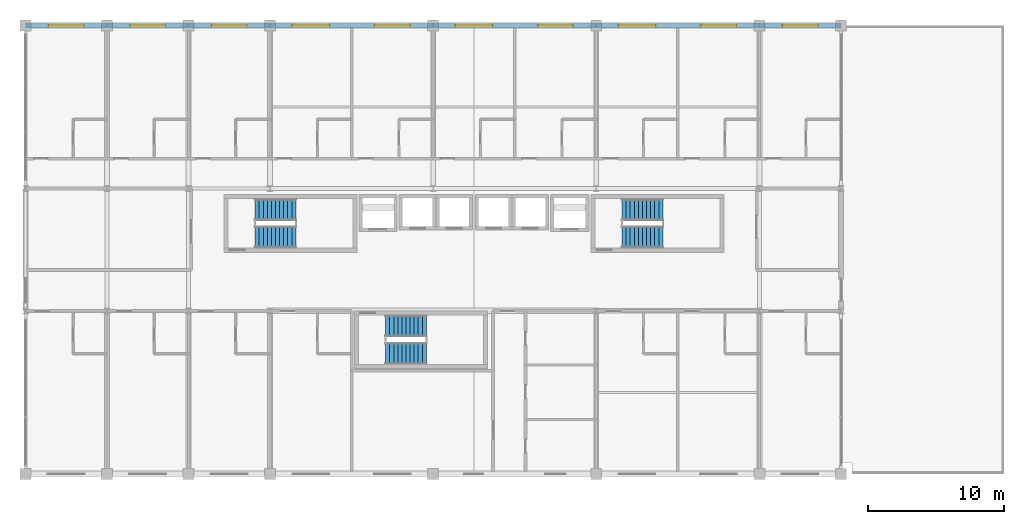
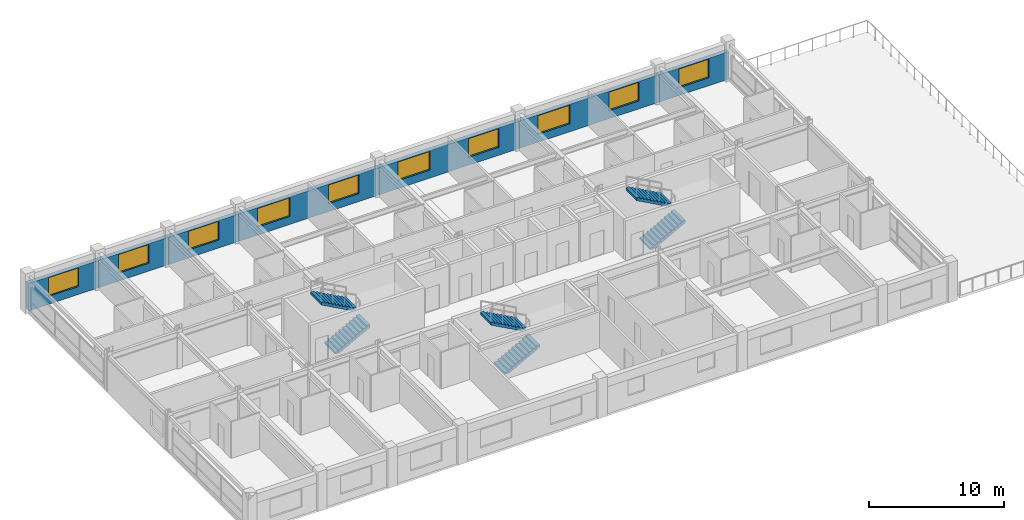
# One storey, part 25 of 27: 10 windows, 7 walls, 6 stair flights, 10 openings, 3 elements without a shape of their own.
"""IFC4 building model written with IfcOpenShell, lengths in metres."""

from ifc_helpers import new_model, si_unit, direction, frame, frame_2d, origin, place, context, subcontext, project, spatial, polyline, rectangle, outline, extrude, material, layer, layer_set, type_object, element, fill, aggregate, save


model = new_model("IFC4")

# Units and contexts
model_context = context("Model", 3, precision=1e-05, world=origin(), true_north=direction((0.0, 1.0)))
body_context = subcontext(model_context, "Body", "Model", "MODEL_VIEW")
ifc_project = project(units=[si_unit("LENGTHUNIT", "METRE"), si_unit("AREAUNIT", "SQUARE_METRE"), si_unit("VOLUMEUNIT", "CUBIC_METRE"), si_unit("PLANEANGLEUNIT", "RADIAN"), si_unit("MASSUNIT", "GRAM", prefix="KILO")], contexts=[model_context])

# Site, building, storey
site_placement = place(None, origin())
site = spatial("IfcSite", under=ifc_project, at=site_placement, CompositionType="ELEMENT")
building_placement = place(site_placement, origin())
building = spatial("IfcBuilding", under=site, at=building_placement, Name="Kaldorvane Square Convention Centre", CompositionType="ELEMENT")
storey_placement = place(building_placement, frame((0.0, 0.0, 38.399993896484375)))
storey = spatial("IfcBuildingStorey", under=building, at=storey_placement, Name="L08", CompositionType="ELEMENT", Elevation=38.399993896484375)

# Wall, opening, window
ifc_material_1 = material(Name="Concrete f'c = 42 MPa (Normalweight)", Category="concrete")
ifc_layer = layer(ifc_material_1, 0.350006103515625)
ifc_layer_set = layer_set([ifc_layer], Name="Concrete f'c = 42 MPa (Normalweight)")
wall_type = type_object("IfcWallType", Name="WL-EXT-350", PredefinedType="STANDARD", material=ifc_layer_set)
wall_1_placement = place(storey_placement, frame((30.0, 117.0, 0.0), z_axis=(0.0, 0.0, 1.0), x_axis=(-1.0, 0.0, 0.0)))
wall_1 = element("IfcWall", 1, at=wall_1_placement, inside=storey, type_object=wall_type, Name="Hotel N Brutalist Facade Wall (L08)", PredefinedType="STANDARD", context=body_context, shape_type="SweptSolid", body=[
    extrude(rectangle(XDim=6.0, YDim=0.350006103515625, at=frame_2d((3.0, 0.0))), origin(), (0.0, 0.0, 1.0), 2.4860076904296875),
])
opening_1_placement = place(wall_1_placement, frame((1.6999969482421875, 0.0, 0.720001220703125)))
opening_1 = element("IfcOpeningElement", 2, at=opening_1_placement, cuts=wall_1, Name="Opening W-05", PredefinedType="OPENING", context=body_context, shape_type="SweptSolid", body=[
    extrude(rectangle(XDim=2.600006103515625, YDim=1.69000244140625, at=frame_2d((1.3000030517578125, 0.845001220703125))), frame((0.0, 0.19000244140625, 0.0), z_axis=(0.0, -1.0, 0.0), x_axis=(1.0, 0.0, 0.0)), (0.0, 0.0, 1.0), 0.3800048828125),
])
ifc_material_2 = material(Name="Anodized Aluminum and Low-E Insulated Glazing", Category="aluminium")
window_type_1 = type_object("IfcWindowType", Name="WN-HTL-2600X1700", PartitioningType="DOUBLE_PANEL_VERTICAL", PredefinedType="WINDOW", material=ifc_material_2)
window_1_placement = place(opening_1_placement, origin())
window_1 = element("IfcWindow", 3, at=window_1_placement, inside=storey, type_object=window_type_1, Name="Hotel N Window (L08)", OverallHeight=1.69000244140625, OverallWidth=2.600006103515625, PartitioningType="DOUBLE_PANEL_VERTICAL", PredefinedType="WINDOW", context=body_context, shape_type="SweptSolid", body=[
    extrude(rectangle(XDim=2.600006103515625, YDim=1.69000244140625, at=frame_2d((1.3000030517578125, 0.845001220703125))), frame((0.0, 0.029998779296875, 0.0), z_axis=(0.0, -1.0, 0.0), x_axis=(1.0, 0.0, 0.0)), (0.0, 0.0, 1.0), 0.05999755859375),
])
fill(opening_1, window_1)

wall_2_placement = place(storey_placement, frame((36.0, 117.0, 0.0), z_axis=(0.0, 0.0, 1.0), x_axis=(-1.0, 0.0, 0.0)))
wall_2 = element("IfcWall", 4, at=wall_2_placement, inside=storey, type_object=wall_type, Name="Hotel N Brutalist Facade Wall (L08)", PredefinedType="STANDARD", context=body_context, shape_type="SweptSolid", body=[
    extrude(rectangle(XDim=6.0, YDim=0.350006103515625, at=frame_2d((3.0, 0.0))), origin(), (0.0, 0.0, 1.0), 2.4860076904296875),
])
opening_2_placement = place(wall_2_placement, frame((1.6999969482421875, 0.0, 0.720001220703125)))
opening_2 = element("IfcOpeningElement", 5, at=opening_2_placement, cuts=wall_2, Name="Opening W-05", PredefinedType="OPENING", context=body_context, shape_type="SweptSolid", body=[
    extrude(rectangle(XDim=2.600006103515625, YDim=1.69000244140625, at=frame_2d((1.3000030517578125, 0.845001220703125))), frame((0.0, 0.19000244140625, 0.0), z_axis=(0.0, -1.0, 0.0), x_axis=(1.0, 0.0, 0.0)), (0.0, 0.0, 1.0), 0.3800048828125),
])
window_2_placement = place(opening_2_placement, origin())
window_2 = element("IfcWindow", 6, at=window_2_placement, inside=storey, type_object=window_type_1, Name="Hotel N Window (L08)", OverallHeight=1.69000244140625, OverallWidth=2.600006103515625, PartitioningType="DOUBLE_PANEL_VERTICAL", PredefinedType="WINDOW", context=body_context, shape_type="SweptSolid", body=[
    extrude(rectangle(XDim=2.600006103515625, YDim=1.69000244140625, at=frame_2d((1.3000030517578125, 0.845001220703125))), frame((0.0, 0.029998779296875, 0.0), z_axis=(0.0, -1.0, 0.0), x_axis=(1.0, 0.0, 0.0)), (0.0, 0.0, 1.0), 0.05999755859375),
])
fill(opening_2, window_2)

wall_3_placement = place(storey_placement, frame((42.0, 117.0, 0.0), z_axis=(0.0, 0.0, 1.0), x_axis=(-1.0, 0.0, 0.0)))
wall_3 = element("IfcWall", 7, at=wall_3_placement, inside=storey, type_object=wall_type, Name="Hotel N Brutalist Facade Wall (L08)", PredefinedType="STANDARD", context=body_context, shape_type="SweptSolid", body=[
    extrude(rectangle(XDim=6.0, YDim=0.350006103515625, at=frame_2d((3.0, 0.0))), origin(), (0.0, 0.0, 1.0), 2.4860076904296875),
])
opening_3_placement = place(wall_3_placement, frame((1.6999969482421875, 0.0, 0.720001220703125)))
opening_3 = element("IfcOpeningElement", 8, at=opening_3_placement, cuts=wall_3, Name="Opening W-05", PredefinedType="OPENING", context=body_context, shape_type="SweptSolid", body=[
    extrude(rectangle(XDim=2.600006103515625, YDim=1.69000244140625, at=frame_2d((1.3000030517578125, 0.845001220703125))), frame((0.0, 0.19000244140625, 0.0), z_axis=(0.0, -1.0, 0.0), x_axis=(1.0, 0.0, 0.0)), (0.0, 0.0, 1.0), 0.3800048828125),
])
window_3_placement = place(opening_3_placement, origin())
window_3 = element("IfcWindow", 9, at=window_3_placement, inside=storey, type_object=window_type_1, Name="Hotel N Window (L08)", OverallHeight=1.69000244140625, OverallWidth=2.600006103515625, PartitioningType="DOUBLE_PANEL_VERTICAL", PredefinedType="WINDOW", context=body_context, shape_type="SweptSolid", body=[
    extrude(rectangle(XDim=2.600006103515625, YDim=1.69000244140625, at=frame_2d((1.3000030517578125, 0.845001220703125))), frame((0.0, 0.029998779296875, 0.0), z_axis=(0.0, -1.0, 0.0), x_axis=(1.0, 0.0, 0.0)), (0.0, 0.0, 1.0), 0.05999755859375),
])
fill(opening_3, window_3)

# Wall, openings, windows
wall_4_placement = place(storey_placement, frame((54.0, 117.0, 0.0), z_axis=(0.0, 0.0, 1.0), x_axis=(-1.0, 0.0, 0.0)))
wall_4 = element("IfcWall", 10, at=wall_4_placement, inside=storey, type_object=wall_type, Name="Hotel N Brutalist Facade Wall (L08)", PredefinedType="STANDARD", context=body_context, shape_type="SweptSolid", body=[
    extrude(rectangle(XDim=12.0, YDim=0.350006103515625, at=frame_2d((6.0, 0.0))), origin(), (0.0, 0.0, 1.0), 2.4860076904296875),
])
opening_4_placement = place(wall_4_placement, frame((1.6999969482421875, 0.0, 0.720001220703125)))
opening_4 = element("IfcOpeningElement", 11, at=opening_4_placement, cuts=wall_4, Name="Opening W-05", PredefinedType="OPENING", context=body_context, shape_type="SweptSolid", body=[
    extrude(rectangle(XDim=2.600006103515625, YDim=1.69000244140625, at=frame_2d((1.3000030517578125, 0.845001220703125))), frame((0.0, 0.19000244140625, 0.0), z_axis=(0.0, -1.0, 0.0), x_axis=(1.0, 0.0, 0.0)), (0.0, 0.0, 1.0), 0.3800048828125),
])
opening_5_placement = place(wall_4_placement, frame((7.625, 0.0, 0.720001220703125)))
opening_5 = element("IfcOpeningElement", 12, at=opening_5_placement, cuts=wall_4, Name="Opening W-06", PredefinedType="OPENING", context=body_context, shape_type="SweptSolid", body=[
    extrude(rectangle(XDim=2.75, YDim=1.69000244140625, at=frame_2d((1.375, 0.845001220703125))), frame((0.0, 0.19000244140625, 0.0), z_axis=(0.0, -1.0, 0.0), x_axis=(1.0, 0.0, 0.0)), (0.0, 0.0, 1.0), 0.3800048828125),
])
window_4_placement = place(opening_4_placement, origin())
window_4 = element("IfcWindow", 13, at=window_4_placement, inside=storey, type_object=window_type_1, Name="Hotel N Window (L08)", OverallHeight=1.69000244140625, OverallWidth=2.600006103515625, PartitioningType="DOUBLE_PANEL_VERTICAL", PredefinedType="WINDOW", context=body_context, shape_type="SweptSolid", body=[
    extrude(rectangle(XDim=2.600006103515625, YDim=1.69000244140625, at=frame_2d((1.3000030517578125, 0.845001220703125))), frame((0.0, 0.029998779296875, 0.0), z_axis=(0.0, -1.0, 0.0), x_axis=(1.0, 0.0, 0.0)), (0.0, 0.0, 1.0), 0.05999755859375),
])
fill(opening_4, window_4)
window_type_2 = type_object("IfcWindowType", Name="WN-HTL-2750X1700", PartitioningType="TRIPLE_PANEL_VERTICAL", PredefinedType="WINDOW", material=ifc_material_2)
window_5_placement = place(opening_5_placement, origin())
window_5 = element("IfcWindow", 14, at=window_5_placement, inside=storey, type_object=window_type_2, Name="Hotel N Window (L08)", OverallHeight=1.69000244140625, OverallWidth=2.75, PartitioningType="TRIPLE_PANEL_VERTICAL", PredefinedType="WINDOW", context=body_context, shape_type="SweptSolid", body=[
    extrude(rectangle(XDim=2.75, YDim=1.69000244140625, at=frame_2d((1.375, 0.845001220703125))), frame((0.0, 0.029998779296875, 0.0), z_axis=(0.0, -1.0, 0.0), x_axis=(1.0, 0.0, 0.0)), (0.0, 0.0, 1.0), 0.05999755859375),
])
fill(opening_5, window_5)

wall_5_placement = place(storey_placement, frame((66.0, 117.0, 0.0), z_axis=(0.0, 0.0, 1.0), x_axis=(-1.0, 0.0, 0.0)))
wall_5 = element("IfcWall", 15, at=wall_5_placement, inside=storey, type_object=wall_type, Name="Hotel N Brutalist Facade Wall (L08)", PredefinedType="STANDARD", context=body_context, shape_type="SweptSolid", body=[
    extrude(rectangle(XDim=12.0, YDim=0.350006103515625, at=frame_2d((6.0, 0.0))), origin(), (0.0, 0.0, 1.0), 2.4860076904296875),
])
opening_6_placement = place(wall_5_placement, frame((1.6999969482421875, 0.0, 0.720001220703125)))
opening_6 = element("IfcOpeningElement", 16, at=opening_6_placement, cuts=wall_5, Name="Opening W-05", PredefinedType="OPENING", context=body_context, shape_type="SweptSolid", body=[
    extrude(rectangle(XDim=2.600006103515625, YDim=1.69000244140625, at=frame_2d((1.3000030517578125, 0.845001220703125))), frame((0.0, 0.19000244140625, 0.0), z_axis=(0.0, -1.0, 0.0), x_axis=(1.0, 0.0, 0.0)), (0.0, 0.0, 1.0), 0.3800048828125),
])
opening_7_placement = place(wall_5_placement, frame((7.625, 0.0, 0.720001220703125)))
opening_7 = element("IfcOpeningElement", 17, at=opening_7_placement, cuts=wall_5, Name="Opening W-06", PredefinedType="OPENING", context=body_context, shape_type="SweptSolid", body=[
    extrude(rectangle(XDim=2.75, YDim=1.69000244140625, at=frame_2d((1.375, 0.845001220703125))), frame((0.0, 0.19000244140625, 0.0), z_axis=(0.0, -1.0, 0.0), x_axis=(1.0, 0.0, 0.0)), (0.0, 0.0, 1.0), 0.3800048828125),
])
window_6_placement = place(opening_6_placement, origin())
window_6 = element("IfcWindow", 18, at=window_6_placement, inside=storey, type_object=window_type_1, Name="Hotel N Window (L08)", OverallHeight=1.69000244140625, OverallWidth=2.600006103515625, PartitioningType="DOUBLE_PANEL_VERTICAL", PredefinedType="WINDOW", context=body_context, shape_type="SweptSolid", body=[
    extrude(rectangle(XDim=2.600006103515625, YDim=1.69000244140625, at=frame_2d((1.3000030517578125, 0.845001220703125))), frame((0.0, 0.029998779296875, 0.0), z_axis=(0.0, -1.0, 0.0), x_axis=(1.0, 0.0, 0.0)), (0.0, 0.0, 1.0), 0.05999755859375),
])
fill(opening_6, window_6)
window_7_placement = place(opening_7_placement, origin())
window_7 = element("IfcWindow", 19, at=window_7_placement, inside=storey, type_object=window_type_2, Name="Hotel N Window (L08)", OverallHeight=1.69000244140625, OverallWidth=2.75, PartitioningType="TRIPLE_PANEL_VERTICAL", PredefinedType="WINDOW", context=body_context, shape_type="SweptSolid", body=[
    extrude(rectangle(XDim=2.75, YDim=1.69000244140625, at=frame_2d((1.375, 0.845001220703125))), frame((0.0, 0.029998779296875, 0.0), z_axis=(0.0, -1.0, 0.0), x_axis=(1.0, 0.0, 0.0)), (0.0, 0.0, 1.0), 0.05999755859375),
])
fill(opening_7, window_7)

wall_6_placement = place(storey_placement, frame((78.0, 117.0, 0.0), z_axis=(0.0, 0.0, 1.0), x_axis=(-1.0, 0.0, 0.0)))
wall_6 = element("IfcWall", 20, at=wall_6_placement, inside=storey, type_object=wall_type, Name="Hotel N Brutalist Facade Wall (L08)", PredefinedType="STANDARD", context=body_context, shape_type="SweptSolid", body=[
    extrude(rectangle(XDim=12.0, YDim=0.350006103515625, at=frame_2d((6.0, 0.0))), origin(), (0.0, 0.0, 1.0), 2.4860076904296875),
])
opening_8_placement = place(wall_6_placement, frame((1.6999969482421875, 0.0, 0.720001220703125)))
opening_8 = element("IfcOpeningElement", 21, at=opening_8_placement, cuts=wall_6, Name="Opening W-05", PredefinedType="OPENING", context=body_context, shape_type="SweptSolid", body=[
    extrude(rectangle(XDim=2.600006103515625, YDim=1.69000244140625, at=frame_2d((1.3000030517578125, 0.845001220703125))), frame((0.0, 0.19000244140625, 0.0), z_axis=(0.0, -1.0, 0.0), x_axis=(1.0, 0.0, 0.0)), (0.0, 0.0, 1.0), 0.3800048828125),
])
opening_9_placement = place(wall_6_placement, frame((7.625, 0.0, 0.720001220703125)))
opening_9 = element("IfcOpeningElement", 22, at=opening_9_placement, cuts=wall_6, Name="Opening W-06", PredefinedType="OPENING", context=body_context, shape_type="SweptSolid", body=[
    extrude(rectangle(XDim=2.75, YDim=1.69000244140625, at=frame_2d((1.375, 0.845001220703125))), frame((0.0, 0.19000244140625, 0.0), z_axis=(0.0, -1.0, 0.0), x_axis=(1.0, 0.0, 0.0)), (0.0, 0.0, 1.0), 0.3800048828125),
])
window_8_placement = place(opening_8_placement, origin())
window_8 = element("IfcWindow", 23, at=window_8_placement, inside=storey, type_object=window_type_1, Name="Hotel N Window (L08)", OverallHeight=1.69000244140625, OverallWidth=2.600006103515625, PartitioningType="DOUBLE_PANEL_VERTICAL", PredefinedType="WINDOW", context=body_context, shape_type="SweptSolid", body=[
    extrude(rectangle(XDim=2.600006103515625, YDim=1.69000244140625, at=frame_2d((1.3000030517578125, 0.845001220703125))), frame((0.0, 0.029998779296875, 0.0), z_axis=(0.0, -1.0, 0.0), x_axis=(1.0, 0.0, 0.0)), (0.0, 0.0, 1.0), 0.05999755859375),
])
fill(opening_8, window_8)
window_9_placement = place(opening_9_placement, origin())
window_9 = element("IfcWindow", 24, at=window_9_placement, inside=storey, type_object=window_type_2, Name="Hotel N Window (L08)", OverallHeight=1.69000244140625, OverallWidth=2.75, PartitioningType="TRIPLE_PANEL_VERTICAL", PredefinedType="WINDOW", context=body_context, shape_type="SweptSolid", body=[
    extrude(rectangle(XDim=2.75, YDim=1.69000244140625, at=frame_2d((1.375, 0.845001220703125))), frame((0.0, 0.029998779296875, 0.0), z_axis=(0.0, -1.0, 0.0), x_axis=(1.0, 0.0, 0.0)), (0.0, 0.0, 1.0), 0.05999755859375),
])
fill(opening_9, window_9)

# Wall, opening, window
wall_7_placement = place(storey_placement, frame((84.0, 117.0, 0.0), z_axis=(0.0, 0.0, 1.0), x_axis=(-1.0, 0.0, 0.0)))
wall_7 = element("IfcWall", 25, at=wall_7_placement, inside=storey, type_object=wall_type, Name="Hotel N Brutalist Facade Wall (L08)", PredefinedType="STANDARD", context=body_context, shape_type="SweptSolid", body=[
    extrude(rectangle(XDim=6.0, YDim=0.350006103515625, at=frame_2d((3.0, 0.0))), origin(), (0.0, 0.0, 1.0), 2.4860076904296875),
])
opening_10_placement = place(wall_7_placement, frame((1.6999969482421875, 0.0, 0.720001220703125)))
opening_10 = element("IfcOpeningElement", 26, at=opening_10_placement, cuts=wall_7, Name="Opening W-05", PredefinedType="OPENING", context=body_context, shape_type="SweptSolid", body=[
    extrude(rectangle(XDim=2.600006103515625, YDim=1.69000244140625, at=frame_2d((1.3000030517578125, 0.845001220703125))), frame((0.0, 0.19000244140625, 0.0), z_axis=(0.0, -1.0, 0.0), x_axis=(1.0, 0.0, 0.0)), (0.0, 0.0, 1.0), 0.3800048828125),
])
window_10_placement = place(opening_10_placement, origin())
window_10 = element("IfcWindow", 27, at=window_10_placement, inside=storey, type_object=window_type_1, Name="Hotel N Window (L08)", OverallHeight=1.69000244140625, OverallWidth=2.600006103515625, PartitioningType="DOUBLE_PANEL_VERTICAL", PredefinedType="WINDOW", context=body_context, shape_type="SweptSolid", body=[
    extrude(rectangle(XDim=2.600006103515625, YDim=1.69000244140625, at=frame_2d((1.3000030517578125, 0.845001220703125))), frame((0.0, 0.029998779296875, 0.0), z_axis=(0.0, -1.0, 0.0), x_axis=(1.0, 0.0, 0.0)), (0.0, 0.0, 1.0), 0.05999755859375),
])
fill(opening_10, window_10)

# Stair, stair flights
stair_type = type_object("IfcStairType", Name="ST-DL-1600-3600", PredefinedType="HALF_TURN_STAIR", material=ifc_material_1)
stair_1_placement = place(storey_placement, origin())
stair_1 = element("IfcStair", 28, at=stair_1_placement, inside=storey, type_object=stair_type, Name="Tower Exit Stair T1 (L08)", PredefinedType="HALF_TURN_STAIR")
stair_flight_type = type_object("IfcStairFlightType", Name="SF-STR-1600-11R", PredefinedType="STRAIGHT", material=ifc_material_1)
stair_flight_1_placement = place(storey_placement, frame((40.899993896484375, 101.41000366210938, 0.0), z_axis=(0.0, 0.0, 1.0), x_axis=(1.0, 0.0, 0.0)))
stair_flight_1 = element("IfcStairFlight", 29, at=stair_flight_1_placement, type_object=stair_flight_type, Name="Tower Exit Stair T1 Flight 1 (L08)", NumberOfRisers=11, NumberOfTreads=10, PredefinedType="STRAIGHT", RiserHeight=0.163636364, TreadLength=0.3, context=body_context, shape_type="SweptSolid", body=[
    extrude(outline(polyline([(0.0, 0.0), (0.0, 0.16363525390625), (0.3000030517578125, 0.16363525390625), (0.3000030517578125, 0.3272705078125), (0.600006103515625, 0.3272705078125), (0.600006103515625, 0.49090576171875), (0.899993896484375, 0.49090576171875), (0.899993896484375, 0.654541015625), (1.1999969482421875, 0.654541015625), (1.1999969482421875, 0.81817626953125), (1.5, 0.81817626953125), (1.5, 0.9818115234375), (1.8000030517578125, 0.9818115234375), (1.8000030517578125, 1.1454620361328125), (2.100006103515625, 1.1454620361328125), (2.100006103515625, 1.3090972900390625), (2.399993896484375, 1.3090972900390625), (2.399993896484375, 1.4727325439453125), (2.6999969482421875, 1.4727325439453125), (2.6999969482421875, 1.6363677978515625), (3.0, 1.6363677978515625), (3.0, 1.8000030517578125), (3.0, 1.4085540771484375), (0.41766357421875, 0.0), (0.0, 0.0)])), frame((0.0, 0.8000030517578125, 0.0), z_axis=(0.0, -1.0, 0.0), x_axis=(1.0, 0.0, 0.0)), (0.0, 0.0, 1.0), 1.600006103515625),
])
stair_flight_2_placement = place(storey_placement, frame((43.899993896484375, 103.44999694824219, 1.8000030517578125), z_axis=(0.0, 0.0, 1.0), x_axis=(-1.0, 0.0, 0.0)))
stair_flight_2 = element("IfcStairFlight", 30, at=stair_flight_2_placement, type_object=stair_flight_type, Name="Tower Exit Stair T1 Flight 2 (L08)", NumberOfRisers=11, NumberOfTreads=10, PredefinedType="STRAIGHT", RiserHeight=0.163636364, TreadLength=0.3, context=body_context, shape_type="SweptSolid", body=[
    extrude(outline(polyline([(0.0, 0.0), (0.0, 0.16363525390625), (0.3000030517578125, 0.16363525390625), (0.3000030517578125, 0.3272705078125), (0.600006103515625, 0.3272705078125), (0.600006103515625, 0.49090576171875), (0.899993896484375, 0.49090576171875), (0.899993896484375, 0.654541015625), (1.1999969482421875, 0.654541015625), (1.1999969482421875, 0.81817626953125), (1.5, 0.81817626953125), (1.5, 0.9818115234375), (1.8000030517578125, 0.9818115234375), (1.8000030517578125, 1.1454620361328125), (2.100006103515625, 1.1454620361328125), (2.100006103515625, 1.3090972900390625), (2.399993896484375, 1.3090972900390625), (2.399993896484375, 1.4727325439453125), (2.6999969482421875, 1.4727325439453125), (2.6999969482421875, 1.6363677978515625), (3.0, 1.6363677978515625), (3.0, 1.8000030517578125), (3.0, 1.4085540771484375), (0.41766357421875, 0.0), (0.0, 0.0)])), frame((0.0, 0.8000030517578125, 0.0), z_axis=(0.0, -1.0, 0.0), x_axis=(1.0, 0.0, 0.0)), (0.0, 0.0, 1.0), 1.600006103515625),
])
aggregate(stair_1, [stair_flight_1, stair_flight_2])

stair_2_placement = place(storey_placement, origin())
stair_2 = element("IfcStair", 31, at=stair_2_placement, inside=storey, type_object=stair_type, Name="Tower Exit Stair T2 (L08)", PredefinedType="HALF_TURN_STAIR")
stair_flight_3_placement = place(storey_placement, frame((67.89999389648438, 101.41000366210938, 0.0), z_axis=(0.0, 0.0, 1.0), x_axis=(1.0, 0.0, 0.0)))
stair_flight_3 = element("IfcStairFlight", 32, at=stair_flight_3_placement, type_object=stair_flight_type, Name="Tower Exit Stair T2 Flight 1 (L08)", NumberOfRisers=11, NumberOfTreads=10, PredefinedType="STRAIGHT", RiserHeight=0.163636364, TreadLength=0.3, context=body_context, shape_type="SweptSolid", body=[
    extrude(outline(polyline([(0.0, 0.0), (0.0, 0.16363525390625), (0.3000030517578125, 0.16363525390625), (0.3000030517578125, 0.3272705078125), (0.600006103515625, 0.3272705078125), (0.600006103515625, 0.49090576171875), (0.899993896484375, 0.49090576171875), (0.899993896484375, 0.654541015625), (1.1999969482421875, 0.654541015625), (1.1999969482421875, 0.81817626953125), (1.5, 0.81817626953125), (1.5, 0.9818115234375), (1.8000030517578125, 0.9818115234375), (1.8000030517578125, 1.1454620361328125), (2.100006103515625, 1.1454620361328125), (2.100006103515625, 1.3090972900390625), (2.399993896484375, 1.3090972900390625), (2.399993896484375, 1.4727325439453125), (2.6999969482421875, 1.4727325439453125), (2.6999969482421875, 1.6363677978515625), (3.0, 1.6363677978515625), (3.0, 1.8000030517578125), (3.0, 1.4085540771484375), (0.41766357421875, 0.0), (0.0, 0.0)])), frame((0.0, 0.8000030517578125, 0.0), z_axis=(0.0, -1.0, 0.0), x_axis=(1.0, 0.0, 0.0)), (0.0, 0.0, 1.0), 1.600006103515625),
])
stair_flight_4_placement = place(storey_placement, frame((70.89999389648438, 103.44999694824219, 1.8000030517578125), z_axis=(0.0, 0.0, 1.0), x_axis=(-1.0, 0.0, 0.0)))
stair_flight_4 = element("IfcStairFlight", 33, at=stair_flight_4_placement, type_object=stair_flight_type, Name="Tower Exit Stair T2 Flight 2 (L08)", NumberOfRisers=11, NumberOfTreads=10, PredefinedType="STRAIGHT", RiserHeight=0.163636364, TreadLength=0.3, context=body_context, shape_type="SweptSolid", body=[
    extrude(outline(polyline([(0.0, 0.0), (0.0, 0.16363525390625), (0.3000030517578125, 0.16363525390625), (0.3000030517578125, 0.3272705078125), (0.600006103515625, 0.3272705078125), (0.600006103515625, 0.49090576171875), (0.899993896484375, 0.49090576171875), (0.899993896484375, 0.654541015625), (1.1999969482421875, 0.654541015625), (1.1999969482421875, 0.81817626953125), (1.5, 0.81817626953125), (1.5, 0.9818115234375), (1.8000030517578125, 0.9818115234375), (1.8000030517578125, 1.1454620361328125), (2.100006103515625, 1.1454620361328125), (2.100006103515625, 1.3090972900390625), (2.399993896484375, 1.3090972900390625), (2.399993896484375, 1.4727325439453125), (2.6999969482421875, 1.4727325439453125), (2.6999969482421875, 1.6363677978515625), (3.0, 1.6363677978515625), (3.0, 1.8000030517578125), (3.0, 1.4085540771484375), (0.41766357421875, 0.0), (0.0, 0.0)])), frame((0.0, 0.8000030517578125, 0.0), z_axis=(0.0, -1.0, 0.0), x_axis=(1.0, 0.0, 0.0)), (0.0, 0.0, 1.0), 1.600006103515625),
])
aggregate(stair_2, [stair_flight_3, stair_flight_4])

stair_3_placement = place(storey_placement, origin())
stair_3 = element("IfcStair", 34, at=stair_3_placement, inside=storey, type_object=stair_type, Name="Tower Exit Stair T3 (L08)", PredefinedType="HALF_TURN_STAIR")
stair_flight_5_placement = place(storey_placement, frame((50.5, 92.86000061035156, 0.0), z_axis=(0.0, 0.0, 1.0), x_axis=(1.0, 0.0, 0.0)))
stair_flight_5 = element("IfcStairFlight", 35, at=stair_flight_5_placement, type_object=stair_flight_type, Name="Tower Exit Stair T3 Flight 1 (L08)", NumberOfRisers=11, NumberOfTreads=10, PredefinedType="STRAIGHT", RiserHeight=0.163636364, TreadLength=0.3, context=body_context, shape_type="SweptSolid", body=[
    extrude(outline(polyline([(0.0, 0.0), (0.0, 0.16363525390625), (0.3000030517578125, 0.16363525390625), (0.3000030517578125, 0.3272705078125), (0.600006103515625, 0.3272705078125), (0.600006103515625, 0.49090576171875), (0.899993896484375, 0.49090576171875), (0.899993896484375, 0.654541015625), (1.1999969482421875, 0.654541015625), (1.1999969482421875, 0.81817626953125), (1.5, 0.81817626953125), (1.5, 0.9818115234375), (1.8000030517578125, 0.9818115234375), (1.8000030517578125, 1.1454620361328125), (2.100006103515625, 1.1454620361328125), (2.100006103515625, 1.3090972900390625), (2.399993896484375, 1.3090972900390625), (2.399993896484375, 1.4727325439453125), (2.6999969482421875, 1.4727325439453125), (2.6999969482421875, 1.6363677978515625), (3.0, 1.6363677978515625), (3.0, 1.8000030517578125), (3.0, 1.4085540771484375), (0.41766357421875, 0.0), (0.0, 0.0)])), frame((0.0, 0.8000030517578125, 0.0), z_axis=(0.0, -1.0, 0.0), x_axis=(1.0, 0.0, 0.0)), (0.0, 0.0, 1.0), 1.600006103515625),
])
stair_flight_6_placement = place(storey_placement, frame((53.5, 94.89999389648438, 1.8000030517578125), z_axis=(0.0, 0.0, 1.0), x_axis=(-1.0, 0.0, 0.0)))
stair_flight_6 = element("IfcStairFlight", 36, at=stair_flight_6_placement, type_object=stair_flight_type, Name="Tower Exit Stair T3 Flight 2 (L08)", NumberOfRisers=11, NumberOfTreads=10, PredefinedType="STRAIGHT", RiserHeight=0.163636364, TreadLength=0.3, context=body_context, shape_type="SweptSolid", body=[
    extrude(outline(polyline([(0.0, 0.0), (0.0, 0.16363525390625), (0.3000030517578125, 0.16363525390625), (0.3000030517578125, 0.3272705078125), (0.600006103515625, 0.3272705078125), (0.600006103515625, 0.49090576171875), (0.899993896484375, 0.49090576171875), (0.899993896484375, 0.654541015625), (1.1999969482421875, 0.654541015625), (1.1999969482421875, 0.81817626953125), (1.5, 0.81817626953125), (1.5, 0.9818115234375), (1.8000030517578125, 0.9818115234375), (1.8000030517578125, 1.1454620361328125), (2.100006103515625, 1.1454620361328125), (2.100006103515625, 1.3090972900390625), (2.399993896484375, 1.3090972900390625), (2.399993896484375, 1.4727325439453125), (2.6999969482421875, 1.4727325439453125), (2.6999969482421875, 1.6363677978515625), (3.0, 1.6363677978515625), (3.0, 1.8000030517578125), (3.0, 1.4085540771484375), (0.41766357421875, 0.0), (0.0, 0.0)])), frame((0.0, 0.8000030517578125, 0.0), z_axis=(0.0, -1.0, 0.0), x_axis=(1.0, 0.0, 0.0)), (0.0, 0.0, 1.0), 1.600006103515625),
])
aggregate(stair_3, [stair_flight_5, stair_flight_6])

save(model, "model.ifc")
